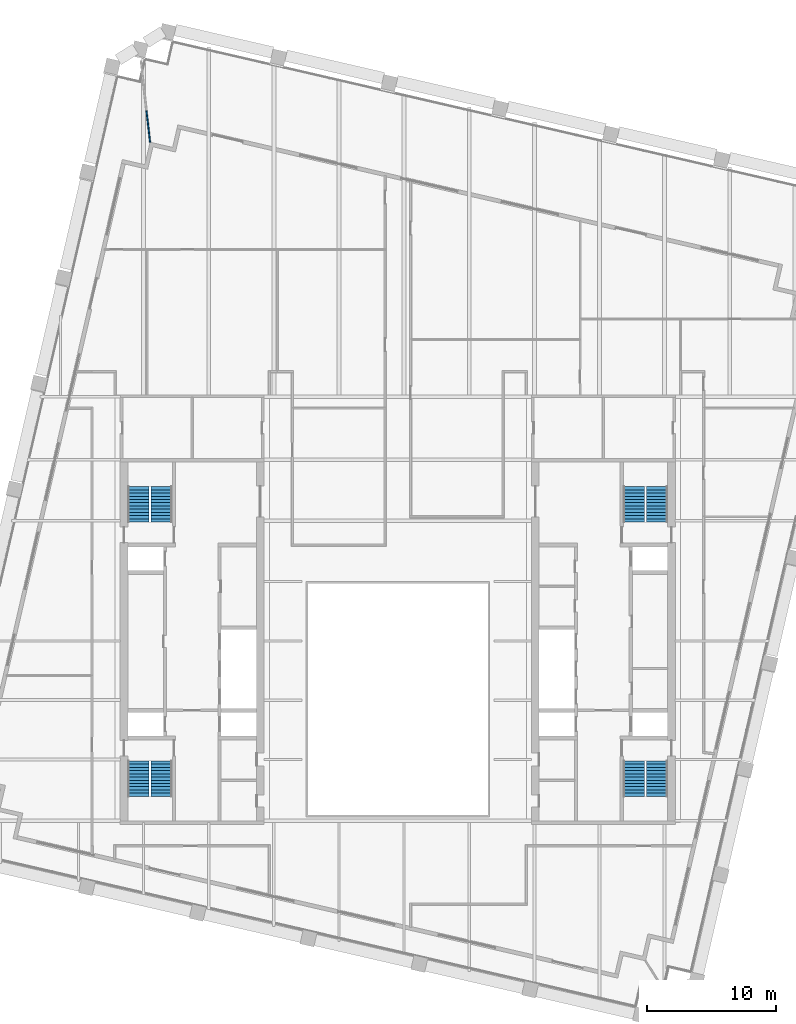
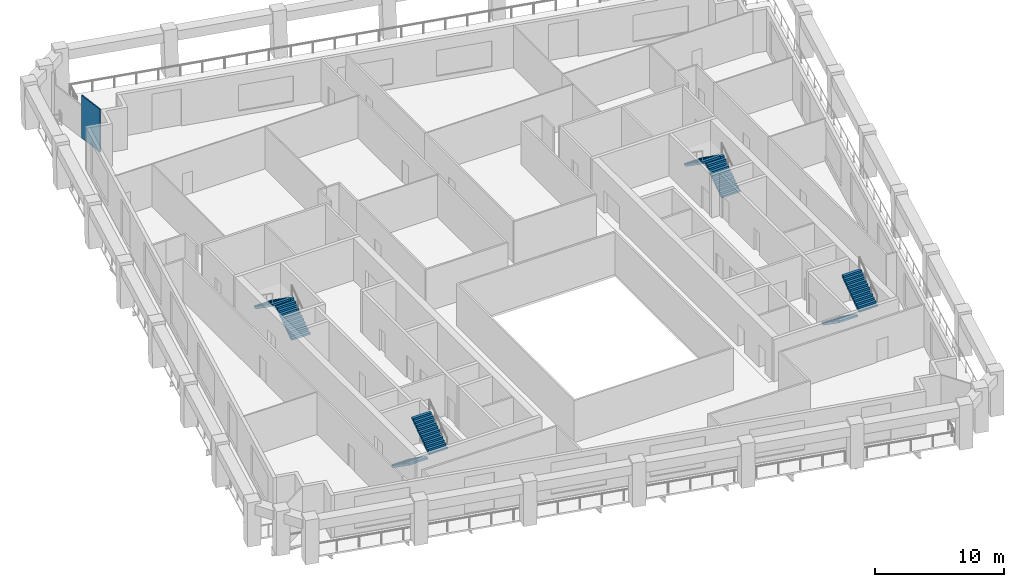
# One storey, part 8 of 9: 8 stair flights, 1 wall, 4 elements without a shape of their own.
"""IFC4 building model written with IfcOpenShell, lengths in metres."""

from ifc_helpers import new_model, si_unit, direction, frame, frame_2d, origin, place, context, subcontext, project, spatial, polyline, rectangle, outline, extrude, material, layer, layer_set, type_object, element, aggregate, save


model = new_model("IFC4")

# Units and contexts
model_context = context("Model", 3, precision=1e-05, world=origin(), true_north=direction((0.0, 1.0)))
body_context = subcontext(model_context, "Body", "Model", "MODEL_VIEW")
ifc_project = project(units=[si_unit("LENGTHUNIT", "METRE"), si_unit("AREAUNIT", "SQUARE_METRE"), si_unit("VOLUMEUNIT", "CUBIC_METRE"), si_unit("PLANEANGLEUNIT", "RADIAN"), si_unit("MASSUNIT", "GRAM", prefix="KILO")], contexts=[model_context])

# Site, building, storey
site_placement = place(None, origin())
site = spatial("IfcSite", under=ifc_project, at=site_placement, CompositionType="ELEMENT")
building_placement = place(site_placement, origin())
building = spatial("IfcBuilding", under=site, at=building_placement, Name="Ogive Exchange Tower", CompositionType="ELEMENT")
storey_placement = place(building_placement, frame((0.0, 0.0, 285.0)))
storey = spatial("IfcBuildingStorey", under=building, at=storey_placement, Name="L62", CompositionType="ELEMENT", Elevation=285.0)

# Wall
ifc_material_1 = material(Name="Laminated safety glass in steel frame", Category="steel")
ifc_layer = layer(ifc_material_1, 0.10009765625)
ifc_layer_set = layer_set([ifc_layer], Name="Loggia end screen 100")
wall_type = type_object("IfcWallType", Name="Loggia end screen 100", PredefinedType="STANDARD", material=ifc_layer_set)
wall_placement = place(storey_placement, frame((-19.27880859375, 50.353271484375, -0.050048828125), z_axis=(0.0, 0.0, 1.0), x_axis=(-0.113767195916, 0.993507435872, 0.0)))
element("IfcWall", 1, at=wall_placement, inside=storey, type_object=wall_type, Name="Loggia end screen C3", PredefinedType="STANDARD", context=body_context, shape_type="SweptSolid", body=[
    extrude(rectangle(XDim=2.4658203125, YDim=0.10009765625, at=frame_2d((1.23291015625, 0.0))), origin(), (0.0, 0.0, 1.0), 4.050048828125),
])

# Stair, stair flights
ifc_material_2 = material(Name="Concrete C40/50", Category="concrete")
stair_type = type_object("IfcStairType", Name="Exit stair 1650 wide", PredefinedType="HALF_TURN_STAIR", material=ifc_material_2)
stair_1_placement = place(storey_placement, origin())
stair_1 = element("IfcStair", 2, at=stair_1_placement, inside=storey, type_object=stair_type, Name="L62 exit stair ST1", PredefinedType="HALF_TURN_STAIR")
stair_flight_type = type_object("IfcStairFlightType", Name="Stair flight 1650 wide", PredefinedType="STRAIGHT", material=ifc_material_2)
stair_flight_1_placement = place(storey_placement, frame((-20.175048828125, 2.199951171875, 0.0), z_axis=(0.0, 0.0, 1.0), x_axis=(0.0, -1.0, 0.0)))
stair_flight_1 = element("IfcStairFlight", 3, at=stair_flight_1_placement, type_object=stair_flight_type, Name="ST1 flight 1", NumberOfRisers=12, NumberOfTreads=11, PredefinedType="STRAIGHT", RiserHeight=0.175, TreadLength=0.25, context=body_context, shape_type="SweptSolid", body=[
    extrude(outline(polyline([(0.0, 0.0), (0.0, 0.175048828125), (0.25, 0.175048828125), (0.25, 0.35009765625), (0.5, 0.35009765625), (0.5, 0.52490234375), (0.75, 0.52490234375), (0.75, 0.699951171875), (1.0, 0.699951171875), (1.0, 0.875), (1.25, 0.875), (1.25, 1.050048828125), (1.5, 1.050048828125), (1.5, 1.22509765625), (1.75, 1.22509765625), (1.75, 1.39990234375), (2.0, 1.39990234375), (2.0, 1.574951171875), (2.25, 1.574951171875), (2.25, 1.75), (2.5, 1.75), (2.5, 1.925048828125), (2.75, 1.925048828125), (2.75, 2.10009765625), (2.75, 1.741943359375), (0.261474609375, 0.0), (0.0, 0.0)])), frame((0.0, 0.824951171875, 0.0), z_axis=(0.0, -1.0, 0.0), x_axis=(1.0, 0.0, 0.0)), (0.0, 0.0, 1.0), 1.64990234375),
])
stair_flight_2_placement = place(storey_placement, frame((-18.375, -0.550048828125, 2.10009765625), z_axis=(0.0, 0.0, 1.0), x_axis=(0.0, 1.0, 0.0)))
stair_flight_2 = element("IfcStairFlight", 4, at=stair_flight_2_placement, type_object=stair_flight_type, Name="ST1 flight 2", NumberOfRisers=12, NumberOfTreads=11, PredefinedType="STRAIGHT", RiserHeight=0.175, TreadLength=0.25, context=body_context, shape_type="SweptSolid", body=[
    extrude(outline(polyline([(0.0, 0.0), (0.0, 0.175048828125), (0.25, 0.175048828125), (0.25, 0.35009765625), (0.5, 0.35009765625), (0.5, 0.52490234375), (0.75, 0.52490234375), (0.75, 0.699951171875), (1.0, 0.699951171875), (1.0, 0.875), (1.25, 0.875), (1.25, 1.050048828125), (1.5, 1.050048828125), (1.5, 1.22509765625), (1.75, 1.22509765625), (1.75, 1.39990234375), (2.0, 1.39990234375), (2.0, 1.574951171875), (2.25, 1.574951171875), (2.25, 1.75), (2.5, 1.75), (2.5, 1.925048828125), (2.75, 1.925048828125), (2.75, 2.10009765625), (2.75, 1.741943359375), (0.261474609375, 0.0), (0.0, 0.0)])), frame((0.0, 0.824951171875, 0.0), z_axis=(0.0, -1.0, 0.0), x_axis=(1.0, 0.0, 0.0)), (0.0, 0.0, 1.0), 1.64990234375),
])
aggregate(stair_1, [stair_flight_1, stair_flight_2])

stair_2_placement = place(storey_placement, origin())
stair_2 = element("IfcStair", 5, at=stair_2_placement, inside=storey, type_object=stair_type, Name="L62 exit stair ST2", PredefinedType="HALF_TURN_STAIR")
stair_flight_3_placement = place(storey_placement, frame((-18.375, 20.800048828125, 0.0), z_axis=(0.0, 0.0, 1.0), x_axis=(0.0, 1.0, 0.0)))
stair_flight_3 = element("IfcStairFlight", 6, at=stair_flight_3_placement, type_object=stair_flight_type, Name="ST2 flight 1", NumberOfRisers=12, NumberOfTreads=11, PredefinedType="STRAIGHT", RiserHeight=0.175, TreadLength=0.25, context=body_context, shape_type="SweptSolid", body=[
    extrude(outline(polyline([(0.0, 0.0), (0.0, 0.175048828125), (0.25, 0.175048828125), (0.25, 0.35009765625), (0.5, 0.35009765625), (0.5, 0.52490234375), (0.75, 0.52490234375), (0.75, 0.699951171875), (1.0, 0.699951171875), (1.0, 0.875), (1.25, 0.875), (1.25, 1.050048828125), (1.5, 1.050048828125), (1.5, 1.22509765625), (1.75, 1.22509765625), (1.75, 1.39990234375), (2.0, 1.39990234375), (2.0, 1.574951171875), (2.25, 1.574951171875), (2.25, 1.75), (2.5, 1.75), (2.5, 1.925048828125), (2.75, 1.925048828125), (2.75, 2.10009765625), (2.75, 1.741943359375), (0.261474609375, 0.0), (0.0, 0.0)])), frame((0.0, 0.824951171875, 0.0), z_axis=(0.0, -1.0, 0.0), x_axis=(1.0, 0.0, 0.0)), (0.0, 0.0, 1.0), 1.64990234375),
])
stair_flight_4_placement = place(storey_placement, frame((-20.175048828125, 23.550048828125, 2.10009765625), z_axis=(0.0, 0.0, 1.0), x_axis=(0.0, -1.0, 0.0)))
stair_flight_4 = element("IfcStairFlight", 7, at=stair_flight_4_placement, type_object=stair_flight_type, Name="ST2 flight 2", NumberOfRisers=12, NumberOfTreads=11, PredefinedType="STRAIGHT", RiserHeight=0.175, TreadLength=0.25, context=body_context, shape_type="SweptSolid", body=[
    extrude(outline(polyline([(0.0, 0.0), (0.0, 0.175048828125), (0.25, 0.175048828125), (0.25, 0.35009765625), (0.5, 0.35009765625), (0.5, 0.52490234375), (0.75, 0.52490234375), (0.75, 0.699951171875), (1.0, 0.699951171875), (1.0, 0.875), (1.25, 0.875), (1.25, 1.050048828125), (1.5, 1.050048828125), (1.5, 1.22509765625), (1.75, 1.22509765625), (1.75, 1.39990234375), (2.0, 1.39990234375), (2.0, 1.574951171875), (2.25, 1.574951171875), (2.25, 1.75), (2.5, 1.75), (2.5, 1.925048828125), (2.75, 1.925048828125), (2.75, 2.10009765625), (2.75, 1.741943359375), (0.261474609375, 0.0), (0.0, 0.0)])), frame((0.0, 0.824951171875, 0.0), z_axis=(0.0, -1.0, 0.0), x_axis=(1.0, 0.0, 0.0)), (0.0, 0.0, 1.0), 1.64990234375),
])
aggregate(stair_2, [stair_flight_3, stair_flight_4])

stair_3_placement = place(storey_placement, origin())
stair_3 = element("IfcStair", 8, at=stair_3_placement, inside=storey, type_object=stair_type, Name="L62 exit stair ST3", PredefinedType="HALF_TURN_STAIR")
stair_flight_5_placement = place(storey_placement, frame((18.375, 2.199951171875, 0.0), z_axis=(0.0, 0.0, 1.0), x_axis=(0.0, -1.0, 0.0)))
stair_flight_5 = element("IfcStairFlight", 9, at=stair_flight_5_placement, type_object=stair_flight_type, Name="ST3 flight 1", NumberOfRisers=12, NumberOfTreads=11, PredefinedType="STRAIGHT", RiserHeight=0.175, TreadLength=0.25, context=body_context, shape_type="SweptSolid", body=[
    extrude(outline(polyline([(0.0, 0.0), (0.0, 0.175048828125), (0.25, 0.175048828125), (0.25, 0.35009765625), (0.5, 0.35009765625), (0.5, 0.52490234375), (0.75, 0.52490234375), (0.75, 0.699951171875), (1.0, 0.699951171875), (1.0, 0.875), (1.25, 0.875), (1.25, 1.050048828125), (1.5, 1.050048828125), (1.5, 1.22509765625), (1.75, 1.22509765625), (1.75, 1.39990234375), (2.0, 1.39990234375), (2.0, 1.574951171875), (2.25, 1.574951171875), (2.25, 1.75), (2.5, 1.75), (2.5, 1.925048828125), (2.75, 1.925048828125), (2.75, 2.10009765625), (2.75, 1.741943359375), (0.261474609375, 0.0), (0.0, 0.0)])), frame((0.0, 0.824951171875, 0.0), z_axis=(0.0, -1.0, 0.0), x_axis=(1.0, 0.0, 0.0)), (0.0, 0.0, 1.0), 1.64990234375),
])
stair_flight_6_placement = place(storey_placement, frame((20.175048828125, -0.550048828125, 2.10009765625), z_axis=(0.0, 0.0, 1.0), x_axis=(0.0, 1.0, 0.0)))
stair_flight_6 = element("IfcStairFlight", 10, at=stair_flight_6_placement, type_object=stair_flight_type, Name="ST3 flight 2", NumberOfRisers=12, NumberOfTreads=11, PredefinedType="STRAIGHT", RiserHeight=0.175, TreadLength=0.25, context=body_context, shape_type="SweptSolid", body=[
    extrude(outline(polyline([(0.0, 0.0), (0.0, 0.175048828125), (0.25, 0.175048828125), (0.25, 0.35009765625), (0.5, 0.35009765625), (0.5, 0.52490234375), (0.75, 0.52490234375), (0.75, 0.699951171875), (1.0, 0.699951171875), (1.0, 0.875), (1.25, 0.875), (1.25, 1.050048828125), (1.5, 1.050048828125), (1.5, 1.22509765625), (1.75, 1.22509765625), (1.75, 1.39990234375), (2.0, 1.39990234375), (2.0, 1.574951171875), (2.25, 1.574951171875), (2.25, 1.75), (2.5, 1.75), (2.5, 1.925048828125), (2.75, 1.925048828125), (2.75, 2.10009765625), (2.75, 1.741943359375), (0.261474609375, 0.0), (0.0, 0.0)])), frame((0.0, 0.824951171875, 0.0), z_axis=(0.0, -1.0, 0.0), x_axis=(1.0, 0.0, 0.0)), (0.0, 0.0, 1.0), 1.64990234375),
])
aggregate(stair_3, [stair_flight_5, stair_flight_6])

stair_4_placement = place(storey_placement, origin())
stair_4 = element("IfcStair", 11, at=stair_4_placement, inside=storey, type_object=stair_type, Name="L62 exit stair ST4", PredefinedType="HALF_TURN_STAIR")
stair_flight_7_placement = place(storey_placement, frame((20.175048828125, 20.800048828125, 0.0), z_axis=(0.0, 0.0, 1.0), x_axis=(0.0, 1.0, 0.0)))
stair_flight_7 = element("IfcStairFlight", 12, at=stair_flight_7_placement, type_object=stair_flight_type, Name="ST4 flight 1", NumberOfRisers=12, NumberOfTreads=11, PredefinedType="STRAIGHT", RiserHeight=0.175, TreadLength=0.25, context=body_context, shape_type="SweptSolid", body=[
    extrude(outline(polyline([(0.0, 0.0), (0.0, 0.175048828125), (0.25, 0.175048828125), (0.25, 0.35009765625), (0.5, 0.35009765625), (0.5, 0.52490234375), (0.75, 0.52490234375), (0.75, 0.699951171875), (1.0, 0.699951171875), (1.0, 0.875), (1.25, 0.875), (1.25, 1.050048828125), (1.5, 1.050048828125), (1.5, 1.22509765625), (1.75, 1.22509765625), (1.75, 1.39990234375), (2.0, 1.39990234375), (2.0, 1.574951171875), (2.25, 1.574951171875), (2.25, 1.75), (2.5, 1.75), (2.5, 1.925048828125), (2.75, 1.925048828125), (2.75, 2.10009765625), (2.75, 1.741943359375), (0.261474609375, 0.0), (0.0, 0.0)])), frame((0.0, 0.824951171875, 0.0), z_axis=(0.0, -1.0, 0.0), x_axis=(1.0, 0.0, 0.0)), (0.0, 0.0, 1.0), 1.64990234375),
])
stair_flight_8_placement = place(storey_placement, frame((18.375, 23.550048828125, 2.10009765625), z_axis=(0.0, 0.0, 1.0), x_axis=(0.0, -1.0, 0.0)))
stair_flight_8 = element("IfcStairFlight", 13, at=stair_flight_8_placement, type_object=stair_flight_type, Name="ST4 flight 2", NumberOfRisers=12, NumberOfTreads=11, PredefinedType="STRAIGHT", RiserHeight=0.175, TreadLength=0.25, context=body_context, shape_type="SweptSolid", body=[
    extrude(outline(polyline([(0.0, 0.0), (0.0, 0.175048828125), (0.25, 0.175048828125), (0.25, 0.35009765625), (0.5, 0.35009765625), (0.5, 0.52490234375), (0.75, 0.52490234375), (0.75, 0.699951171875), (1.0, 0.699951171875), (1.0, 0.875), (1.25, 0.875), (1.25, 1.050048828125), (1.5, 1.050048828125), (1.5, 1.22509765625), (1.75, 1.22509765625), (1.75, 1.39990234375), (2.0, 1.39990234375), (2.0, 1.574951171875), (2.25, 1.574951171875), (2.25, 1.75), (2.5, 1.75), (2.5, 1.925048828125), (2.75, 1.925048828125), (2.75, 2.10009765625), (2.75, 1.741943359375), (0.261474609375, 0.0), (0.0, 0.0)])), frame((0.0, 0.824951171875, 0.0), z_axis=(0.0, -1.0, 0.0), x_axis=(1.0, 0.0, 0.0)), (0.0, 0.0, 1.0), 1.64990234375),
])
aggregate(stair_4, [stair_flight_7, stair_flight_8])

save(model, "model.ifc")
